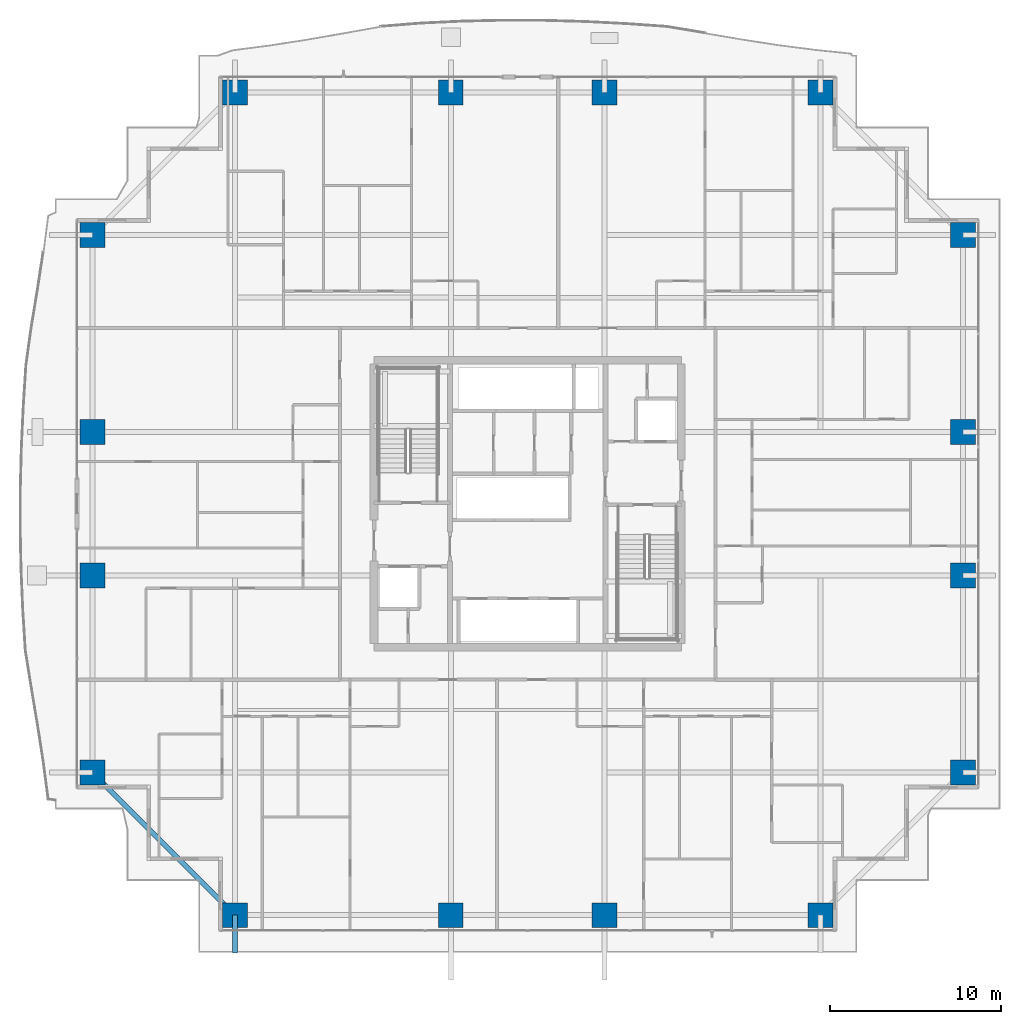
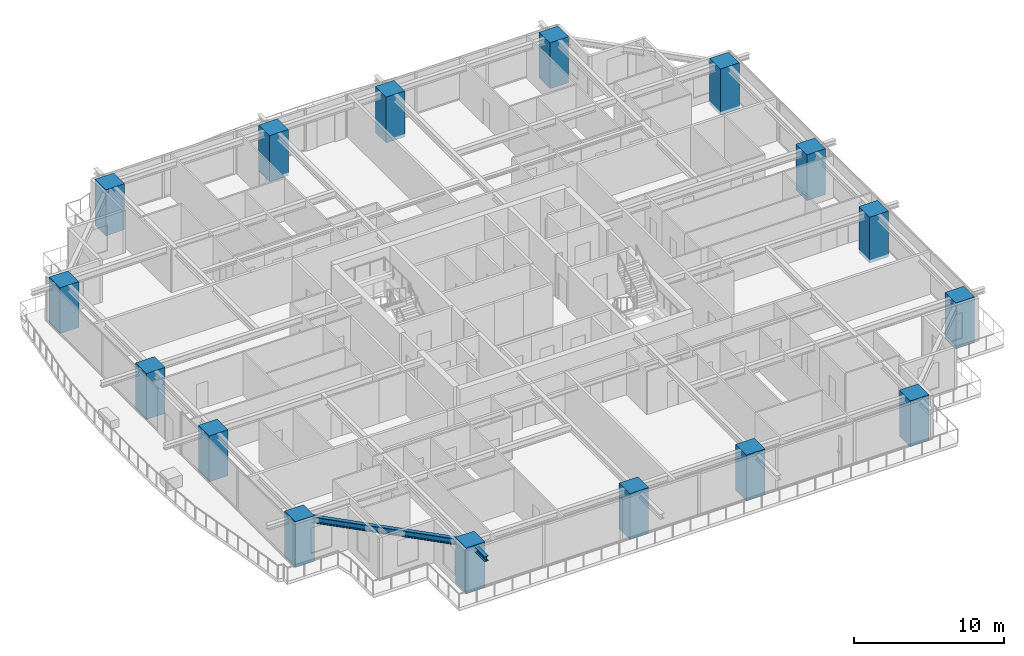
# One storey, part 1 of 36: 16 columns, 2 beams.
"""IFC4 building model written with IfcOpenShell, lengths in metres."""

from ifc_helpers import new_model, si_unit, direction, frame, origin, origin_2d, place, context, subcontext, project, spatial, rectangle, i_section, extrude, source, transform, mapped, material, material_profile, profile_set, type_object, element, save


model = new_model("IFC4")

# Units and contexts
model_context = context("Model", 3, precision=1e-05, world=origin(), true_north=direction((0.0, 1.0)))
body_context = subcontext(model_context, "Body", "Model", "MODEL_VIEW")
ifc_project = project(units=[si_unit("LENGTHUNIT", "METRE"), si_unit("AREAUNIT", "SQUARE_METRE"), si_unit("VOLUMEUNIT", "CUBIC_METRE"), si_unit("PLANEANGLEUNIT", "RADIAN"), si_unit("MASSUNIT", "GRAM", prefix="KILO")], contexts=[model_context])

# Site, building, storey
site_placement = place(None, origin())
site = spatial("IfcSite", under=ifc_project, at=site_placement, CompositionType="ELEMENT")
building_placement = place(site_placement, origin())
building = spatial("IfcBuilding", under=site, at=building_placement, Name="Serunith Strait Residences", CompositionType="ELEMENT")
storey_placement = place(building_placement, frame((0.0, 0.0, 41.699951171875)))
storey = spatial("IfcBuildingStorey", under=building, at=storey_placement, Name="L09", CompositionType="ELEMENT", Elevation=41.699951171875)

# Columns
ifc_material_1 = material(Name="Concrete C90/105", Category="concrete")
ifc_material_profile_1 = material_profile(ifc_material_1, rectangle(XDim=1.449951171875, YDim=1.449951171875, at=origin_2d()), Name="RC 1450x1450")
ifc_profile_set_1 = profile_set([ifc_material_profile_1], Name="Concrete C90/105")
column_type = type_object("IfcColumnType", Name="COL-RC-1450", PredefinedType="COLUMN", material=ifc_profile_set_1)
shared_shape_1 = source(origin(), body_context, "Body", "SweptSolid", [
    extrude(rectangle(XDim=1.449951171875, YDim=1.449951171875, at=origin_2d()), origin(), (0.0, 0.0, 1.0), 3.75),
])
for number, where, z_axis, x_axis, name in (
    (1, (15.25, 1.10009765625, -0.260009765625), (0.0, 0.0, 1.0), (1.0, 0.0, 0.0), "L09 Tower Mega-Column TC-S1"),
    (2, (27.89990234375, 1.10009765625, -0.260009765625), (0.0, 0.0, 1.0), (1.0, 0.0, 0.0), "L09 Tower Mega-Column TC-S2"),
    (3, (36.89990234375, 1.10009765625, -0.260009765625), (0.0, 0.0, 1.0), (1.0, 0.0, 0.0), "L09 Tower Mega-Column TC-S3"),
    (4, (49.550048828125, 1.10009765625, -0.260009765625), (0.0, 0.0, 1.0), (1.0, 0.0, 0.0), "L09 Tower Mega-Column TC-S4"),
    (5, (15.25, 49.300048828125, -0.260009765625), (0.0, 0.0, 1.0), (1.0, 0.0, 0.0), "L09 Tower Mega-Column TC-N1"),
    (6, (27.89990234375, 49.300048828125, -0.260009765625), (0.0, 0.0, 1.0), (1.0, 0.0, 0.0), "L09 Tower Mega-Column TC-N2"),
    (7, (36.89990234375, 49.300048828125, -0.260009765625), (0.0, 0.0, 1.0), (1.0, 0.0, 0.0), "L09 Tower Mega-Column TC-N3"),
    (8, (49.550048828125, 49.300048828125, -0.260009765625), (0.0, 0.0, 1.0), (1.0, 0.0, 0.0), "L09 Tower Mega-Column TC-N4"),
    (9, (57.89990234375, 9.449951171875, -0.260009765625), (0.0, 0.0, 1.0), (1.0, 0.0, 0.0), "L09 Tower Mega-Column TC-E1"),
    (10, (57.89990234375, 21.0, -0.260009765625), (0.0, 0.0, 1.0), (1.0, 0.0, 0.0), "L09 Tower Mega-Column TC-E2"),
    (11, (57.89990234375, 29.39990234375, -0.260009765625), (0.0, 0.0, 1.0), (1.0, 0.0, 0.0), "L09 Tower Mega-Column TC-E3"),
    (12, (57.89990234375, 40.949951171875, -0.260009765625), (0.0, 0.0, 1.0), (1.0, 0.0, 0.0), "L09 Tower Mega-Column TC-E4"),
    (13, (6.89990234375, 9.449951171875, -0.260009765625), (0.0, 0.0, 1.0), (1.0, 0.0, 0.0), "L09 Tower Mega-Column TC-W1"),
    (14, (6.89990234375, 21.0, -0.260009765625), (0.0, 0.0, 1.0), (1.0, 0.0, 0.0), "L09 Tower Mega-Column TC-W2"),
    (15, (6.89990234375, 29.39990234375, -0.260009765625), (0.0, 0.0, 1.0), (1.0, 0.0, 0.0), "L09 Tower Mega-Column TC-W3"),
    (16, (6.89990234375, 40.949951171875, -0.260009765625), (0.0, 0.0, 1.0), (1.0, 0.0, 0.0), "L09 Tower Mega-Column TC-W4"),
):
    element("IfcColumn", number, at=place(storey_placement, frame(where, z_axis=z_axis, x_axis=x_axis)), inside=storey, type_object=column_type, Name=name, PredefinedType="COLUMN", context=body_context, shape_type="MappedRepresentation", body=[
        mapped(shared_shape_1, transform((0.0, 0.0, 0.0), scale=1.0)),
    ])

# Beams
ifc_material_2 = material(Name="Steel S355J2", Category="steel")
ifc_material_profile_2 = material_profile(ifc_material_2, i_section(OverallWidth=0.300048828125, OverallDepth=0.5, WebThickness=0.014404296875, FlangeThickness=0.028076171875, FilletRadius=0.027099609375, at=origin_2d()), Name="HEB 500")
ifc_profile_set_2 = profile_set([ifc_material_profile_2], Name="Steel S355J2")
beam_type_1 = type_object("IfcBeamType", Name="BM-HEB500", PredefinedType="BEAM", material=ifc_profile_set_2)
shared_shape_2 = source(origin(), body_context, "Body", "SweptSolid", [
    extrude(i_section(OverallWidth=0.300048828125, OverallDepth=0.5, WebThickness=0.014404296875, FlangeThickness=0.028076171875, FilletRadius=0.027099609375, at=origin_2d()), origin(), (0.0, 0.0, 1.0), 11.80859375),
])
beam_1_placement = place(storey_placement, frame((6.89990234375, 9.449951171875, 3.20703125), z_axis=(0.707117118476, -0.707096443746, 0.0), x_axis=(0.707096443746, 0.707117118476, 0.0)))
element("IfcBeam", 17, at=beam_1_placement, inside=storey, type_object=beam_type_1, Name="L09 Perimeter Ring Beam 16", PredefinedType="BEAM", context=body_context, shape_type="MappedRepresentation", body=[
    mapped(shared_shape_2, transform((0.0, 0.0, 0.0), scale=1.0)),
])
ifc_material_profile_3 = material_profile(ifc_material_2, i_section(OverallWidth=0.300048828125, OverallDepth=0.39990234375, WebThickness=0.013427734375, FlangeThickness=0.02392578125, FilletRadius=0.027099609375, at=origin_2d()), Name="HEB 400")
ifc_profile_set_3 = profile_set([ifc_material_profile_3], Name="Steel S355J2")
beam_type_2 = type_object("IfcBeamType", Name="BM-HEB400", PredefinedType="BEAM", material=ifc_profile_set_3)
shared_shape_3 = source(origin(), body_context, "Body", "SweptSolid", [
    extrude(i_section(OverallWidth=0.300048828125, OverallDepth=0.39990234375, WebThickness=0.013427734375, FlangeThickness=0.02392578125, FilletRadius=0.027099609375, at=origin_2d()), origin(), (0.0, 0.0, 1.0), 2.22021484375),
])
beam_2_placement = place(storey_placement, frame((15.25, 1.10009765625, 3.257080078125), z_axis=(0.0, -1.0, 0.0), x_axis=(1.0, 0.0, 0.0)))
element("IfcBeam", 18, at=beam_2_placement, inside=storey, type_object=beam_type_2, Name="L10 Cantilevered Balcony Rib TC-S1", PredefinedType="BEAM", context=body_context, shape_type="MappedRepresentation", body=[
    mapped(shared_shape_3, transform((0.0, 0.0, 0.0), scale=1.0)),
])

save(model, "model.ifc")
